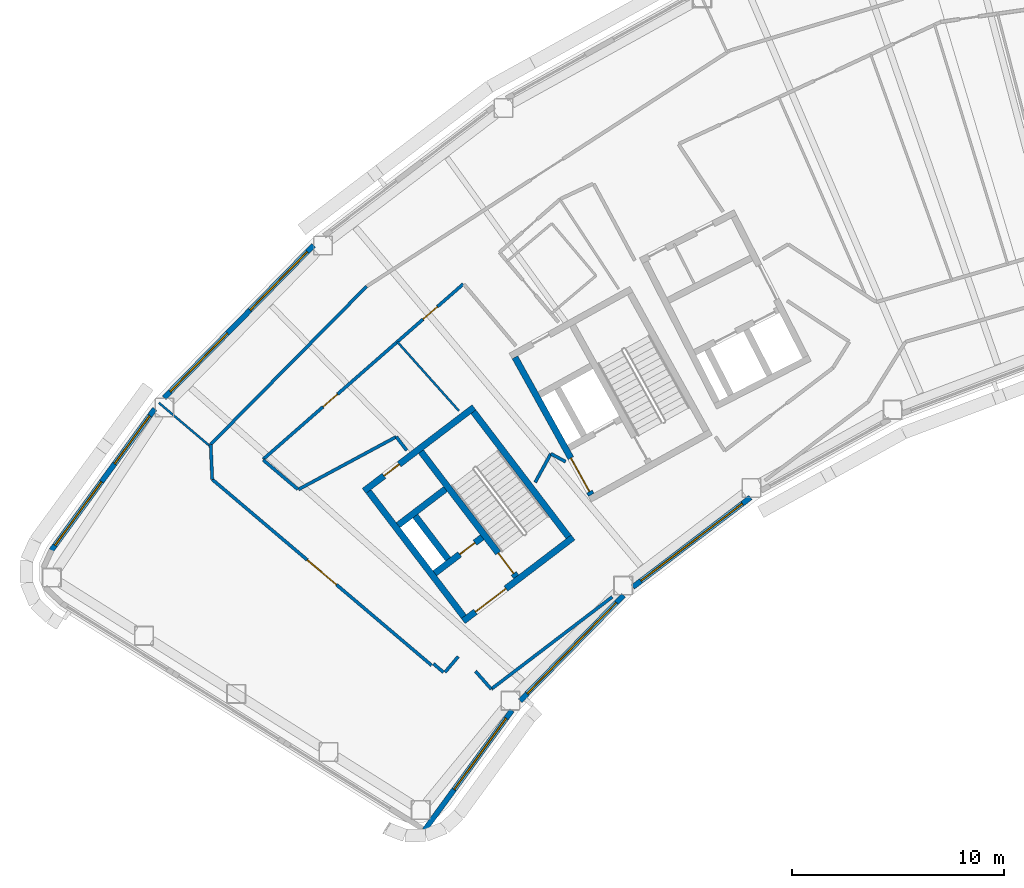
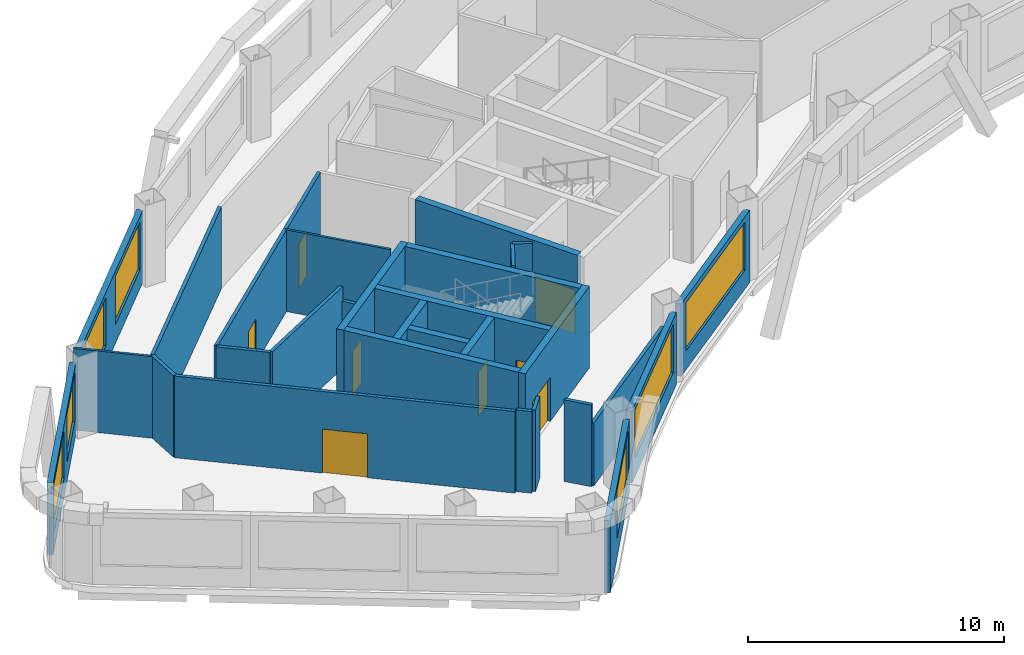
# One storey, part 5 of 17: 29 walls, 8 doors, 7 windows, 15 openings.
"""IFC4 building model written with IfcOpenShell, lengths in metres."""

from ifc_helpers import new_model, si_unit, direction, frame, frame_2d, origin, place, context, subcontext, project, spatial, rectangle, extrude, material, layer, layer_set, type_object, element, fill, save


model = new_model("IFC4")

# Units and contexts
model_context = context("Model", 3, precision=1e-05, world=origin(), true_north=direction((0.0, 1.0)))
body_context = subcontext(model_context, "Body", "Model", "MODEL_VIEW")
ifc_project = project(units=[si_unit("LENGTHUNIT", "METRE"), si_unit("AREAUNIT", "SQUARE_METRE"), si_unit("VOLUMEUNIT", "CUBIC_METRE"), si_unit("PLANEANGLEUNIT", "RADIAN"), si_unit("MASSUNIT", "GRAM", prefix="KILO")], contexts=[model_context])

# Site, building, storey
site_placement = place(None, origin())
site = spatial("IfcSite", under=ifc_project, at=site_placement, CompositionType="ELEMENT")
building_placement = place(site_placement, origin())
building = spatial("IfcBuilding", under=site, at=building_placement, Name="Tuul Gate Civic Tower", CompositionType="ELEMENT")
storey_placement = place(building_placement, frame((0.0, 0.0, 222.10009765625)))
storey = spatial("IfcBuildingStorey", under=building, at=storey_placement, Name="Level 50", CompositionType="ELEMENT", Elevation=222.10009765625)

# Wall, opening, door
ifc_material_1 = material(Name="Concrete C50/60", Category="concrete")
ifc_layer_1 = layer(ifc_material_1, 0.300048828125)
ifc_layer_set_1 = layer_set([ifc_layer_1], Name="Concrete C50/60")
wall_type_1 = type_object("IfcWallType", Name="Core wall C50/60", PredefinedType="SHEAR", material=ifc_layer_set_1)
wall_1_placement = place(storey_placement, frame((-31.19091796875, -13.669677734375, 0.0), z_axis=(0.0, 0.0, 1.0), x_axis=(-0.795606717756, -0.605813461934, 0.0)))
wall_1 = element("IfcWall", 1, at=wall_1_placement, inside=storey, type_object=wall_type_1, Name="Core wall", PredefinedType="SHEAR", context=body_context, shape_type="SweptSolid", body=[
    extrude(rectangle(XDim=6.5, YDim=0.300048828125, at=frame_2d((3.25, 0.0))), origin(), (0.0, 0.0, 1.0), 3.89990234375),
])
opening_1_placement = place(wall_1_placement, frame((3.97509765625, 0.0, 0.0)))
opening_1 = element("IfcOpeningElement", 2, at=opening_1_placement, cuts=wall_1, Name="Opening LB-W1-LOBBY-1", PredefinedType="OPENING", context=body_context, shape_type="SweptSolid", body=[
    extrude(rectangle(XDim=1.800048828125, YDim=2.10009765625, at=frame_2d((0.89990234375, 1.050048828125))), frame((0.0, 0.16015625, 0.0), z_axis=(0.0, -1.0, 0.0), x_axis=(1.0, 0.0, 0.0)), (0.0, 0.0, 1.0), 0.320068359375),
])
ifc_material_2 = material(Name="Steel", Category="steel")
door_type_1 = type_object("IfcDoorType", Name="Lobby door", OperationType="DOUBLE_DOOR_SINGLE_SWING", PredefinedType="DOOR", material=ifc_material_2)
door_1_placement = place(opening_1_placement, origin())
door_1 = element("IfcDoor", 3, at=door_1_placement, inside=storey, type_object=door_type_1, Name="Lobby door W1-LOBBY", OperationType="DOUBLE_DOOR_SINGLE_SWING", OverallHeight=2.10009765625, OverallWidth=1.800048828125, PredefinedType="DOOR", context=body_context, shape_type="SweptSolid", body=[
    extrude(rectangle(XDim=1.800048828125, YDim=2.10009765625, at=frame_2d((0.89990234375, 1.050048828125))), frame((0.0, 0.02490234375, 0.0), z_axis=(0.0, -1.0, 0.0), x_axis=(1.0, 0.0, 0.0)), (0.0, 0.0, 1.0), 0.050048828125),
])
fill(opening_1, door_1)

wall_2_placement = place(storey_placement, frame((-35.470947265625, -13.66064453125, 0.0), z_axis=(0.0, 0.0, 1.0), x_axis=(-0.795615822227, -0.605801504968, 0.0)))
wall_2 = element("IfcWall", 4, at=wall_2_placement, inside=storey, type_object=wall_type_1, Name="Core wall", PredefinedType="SHEAR", context=body_context, shape_type="SweptSolid", body=[
    extrude(rectangle(XDim=2.800048828125, YDim=0.300048828125, at=frame_2d((1.39990234375, 0.0))), origin(), (0.0, 0.0, 1.0), 3.89990234375),
])
opening_2_placement = place(wall_2_placement, frame((0.425048828125, 0.0, 0.0)))
opening_2 = element("IfcOpeningElement", 5, at=opening_2_placement, cuts=wall_2, Name="Opening FB-W1A1", PredefinedType="OPENING", context=body_context, shape_type="SweptSolid", body=[
    extrude(rectangle(XDim=0.89990234375, YDim=2.10009765625, at=frame_2d((0.449951171875, 1.050048828125))), frame((0.0, 0.16015625, 0.0), z_axis=(0.0, -1.0, 0.0), x_axis=(1.0, 0.0, 0.0)), (0.0, 0.0, 1.0), 0.320068359375),
])
ifc_material_3 = material(Name="Steel", Category="steel")
door_type_2 = type_object("IfcDoorType", Name="Store door", OperationType="NOTDEFINED", PredefinedType="DOOR", material=ifc_material_3)
door_2_placement = place(opening_2_placement, frame((0.89990234375, 0.0, 0.0), z_axis=(0.0, 0.0, 1.0), x_axis=(-1.0, 0.0, 0.0)))
door_2 = element("IfcDoor", 6, at=door_2_placement, inside=storey, type_object=door_type_2, Name="Store door W1A1", OperationType="SINGLE_SWING_RIGHT", OverallHeight=2.10009765625, OverallWidth=0.89990234375, PredefinedType="DOOR", context=body_context, shape_type="SweptSolid", body=[
    extrude(rectangle(XDim=0.89990234375, YDim=2.10009765625, at=frame_2d((0.449951171875, 1.050048828125))), frame((0.0, 0.02490234375, 0.0), z_axis=(0.0, -1.0, 0.0), x_axis=(1.0, 0.0, 0.0)), (0.0, 0.0, 1.0), 0.050048828125),
])
fill(opening_2, door_2)

# Wall
wall_3_placement = place(storey_placement, frame((-37.197509765625, -11.39306640625, 0.0), z_axis=(0.0, 0.0, 1.0), x_axis=(-0.795583820278, -0.605843531707, 0.0)))
element("IfcWall", 7, at=wall_3_placement, inside=storey, type_object=wall_type_1, Name="Core wall", PredefinedType="SHEAR", context=body_context, shape_type="SweptSolid", body=[
    extrude(rectangle(XDim=2.7998046875, YDim=0.300048828125, at=frame_2d((1.39990234375, 0.0))), origin(), (0.0, 0.0, 1.0), 3.89990234375),
])

# Wall, opening, door
wall_4_placement = place(storey_placement, frame((-35.855224609375, -7.543212890625, 0.0), z_axis=(0.0, 0.0, 1.0), x_axis=(-0.79563860527, -0.605771582202, 0.0)))
wall_4 = element("IfcWall", 8, at=wall_4_placement, inside=storey, type_object=wall_type_1, Name="Core wall", PredefinedType="SHEAR", context=body_context, shape_type="SweptSolid", body=[
    extrude(rectangle(XDim=6.5, YDim=0.300048828125, at=frame_2d((3.25, 0.0))), origin(), (0.0, 0.0, 1.0), 3.89990234375),
])
opening_3_placement = place(wall_4_placement, frame((4.425048828125, 0.0, 0.0)))
opening_3 = element("IfcOpeningElement", 9, at=opening_3_placement, cuts=wall_4, Name="Opening R-D43", PredefinedType="OPENING", context=body_context, shape_type="SweptSolid", body=[
    extrude(rectangle(XDim=0.89990234375, YDim=2.10009765625, at=frame_2d((0.449951171875, 1.050048828125))), frame((0.0, 0.16015625, 0.0), z_axis=(0.0, -1.0, 0.0), x_axis=(1.0, 0.0, 0.0)), (0.0, 0.0, 1.0), 0.320068359375),
])
ifc_material_4 = material(Name="Timber door leaf", Category="wood")
door_type_3 = type_object("IfcDoorType", Name="Door D09", OperationType="NOTDEFINED", PredefinedType="DOOR", material=ifc_material_4)
door_3_placement = place(opening_3_placement, origin())
door_3 = element("IfcDoor", 10, at=door_3_placement, inside=storey, type_object=door_type_3, Name="Door R-D43", OperationType="SINGLE_SWING_LEFT", OverallHeight=2.10009765625, OverallWidth=0.89990234375, PredefinedType="DOOR", context=body_context, shape_type="SweptSolid", body=[
    extrude(rectangle(XDim=0.89990234375, YDim=2.10009765625, at=frame_2d((0.449951171875, 1.050048828125))), frame((0.0, 0.02490234375, 0.0), z_axis=(0.0, -1.0, 0.0), x_axis=(1.0, 0.0, 0.0)), (0.0, 0.0, 1.0), 0.050048828125),
])
fill(opening_3, door_3)

# Wall
wall_5_placement = place(storey_placement, frame((-31.401123046875, -13.64111328125, 0.0), z_axis=(0.0, 0.0, 1.0), x_axis=(-0.605769822278, 0.795639945213, 0.0)))
element("IfcWall", 11, at=wall_5_placement, inside=storey, type_object=wall_type_1, Name="Core wall", PredefinedType="SHEAR", context=body_context, shape_type="SweptSolid", body=[
    extrude(rectangle(XDim=7.39990234375, YDim=0.300048828125, at=frame_2d((3.699951171875, 0.0))), origin(), (0.0, 0.0, 1.0), 3.89990234375),
])

# Wall, opening, door
wall_6_placement = place(storey_placement, frame((-33.867431640625, -15.51904296875, 0.0), z_axis=(0.0, 0.0, 1.0), x_axis=(-0.605769822278, 0.795639945213, 0.0)))
wall_6 = element("IfcWall", 12, at=wall_6_placement, inside=storey, type_object=wall_type_1, Name="Core wall", PredefinedType="SHEAR", context=body_context, shape_type="SweptSolid", body=[
    extrude(rectangle(XDim=7.39990234375, YDim=0.300048828125, at=frame_2d((3.699951171875, 0.0))), origin(), (0.0, 0.0, 1.0), 3.89990234375),
])
opening_4_placement = place(wall_6_placement, frame((0.199951171875, 0.0, 0.0)))
opening_4 = element("IfcOpeningElement", 13, at=opening_4_placement, cuts=wall_6, Name="Opening SD-ST-1", PredefinedType="OPENING", context=body_context, shape_type="SweptSolid", body=[
    extrude(rectangle(XDim=1.199951171875, YDim=2.10009765625, at=frame_2d((0.60009765625, 1.050048828125))), frame((0.0, 0.16015625, 0.0), z_axis=(0.0, -1.0, 0.0), x_axis=(1.0, 0.0, 0.0)), (0.0, 0.0, 1.0), 0.320068359375),
])
ifc_material_5 = material(Name="Steel", Category="steel")
door_type_4 = type_object("IfcDoorType", Name="Stair door", OperationType="NOTDEFINED", PredefinedType="DOOR", material=ifc_material_5)
door_4_placement = place(opening_4_placement, origin())
door_4 = element("IfcDoor", 14, at=door_4_placement, inside=storey, type_object=door_type_4, Name="Stair door ST-1", OperationType="SINGLE_SWING_LEFT", OverallHeight=2.10009765625, OverallWidth=1.199951171875, PredefinedType="DOOR", context=body_context, shape_type="SweptSolid", body=[
    extrude(rectangle(XDim=1.199951171875, YDim=2.10009765625, at=frame_2d((0.60009765625, 1.050048828125))), frame((0.0, 0.02490234375, 0.0), z_axis=(0.0, -1.0, 0.0), x_axis=(1.0, 0.0, 0.0)), (0.0, 0.0, 1.0), 0.050048828125),
])
fill(opening_4, door_4)

# Walls
wall_7_placement = place(storey_placement, frame((-37.073486328125, -14.6923828125, 0.0), z_axis=(0.0, 0.0, 1.0), x_axis=(-0.605728760074, 0.79567120673, 0.0)))
element("IfcWall", 15, at=wall_7_placement, inside=storey, type_object=wall_type_1, Name="Core wall", PredefinedType="SHEAR", context=body_context, shape_type="SweptSolid", body=[
    extrude(rectangle(XDim=2.550048828125, YDim=0.300048828125, at=frame_2d((1.27490234375, 0.0))), origin(), (0.0, 0.0, 1.0), 3.89990234375),
])
wall_8_placement = place(storey_placement, frame((-36.333984375, -17.397216796875, 0.0), z_axis=(0.0, 0.0, 1.0), x_axis=(-0.605753921168, 0.795652051458, 0.0)))
element("IfcWall", 16, at=wall_8_placement, inside=storey, type_object=wall_type_1, Name="Core wall", PredefinedType="SHEAR", context=body_context, shape_type="SweptSolid", body=[
    extrude(rectangle(XDim=7.400146484375, YDim=0.300048828125, at=frame_2d((3.7001953125, 0.0))), origin(), (0.0, 0.0, 1.0), 3.89990234375),
])

# Wall, opening, door
wall_9_placement = place(storey_placement, frame((-30.33837890625, -11.6630859375, 0.0), z_axis=(0.0, 0.0, 1.0), x_axis=(-0.484751894226, 0.874651702704, 0.0)))
wall_9 = element("IfcWall", 17, at=wall_9_placement, inside=storey, type_object=wall_type_1, Name="Core wall", PredefinedType="SHEAR", context=body_context, shape_type="SweptSolid", body=[
    extrude(rectangle(XDim=7.39990234375, YDim=0.300048828125, at=frame_2d((3.699951171875, 0.0))), origin(), (0.0, 0.0, 1.0), 3.89990234375),
])
opening_5_placement = place(wall_9_placement, frame((0.175048828125, 0.0, 0.0)))
opening_5 = element("IfcOpeningElement", 18, at=opening_5_placement, cuts=wall_9, Name="Opening LB-W2-FLOBBY-1", PredefinedType="OPENING", context=body_context, shape_type="SweptSolid", body=[
    extrude(rectangle(XDim=1.800048828125, YDim=2.10009765625, at=frame_2d((0.89990234375, 1.050048828125))), frame((0.0, 0.16015625, 0.0), z_axis=(0.0, -1.0, 0.0), x_axis=(1.0, 0.0, 0.0)), (0.0, 0.0, 1.0), 0.320068359375),
])
door_5_placement = place(opening_5_placement, frame((1.800048828125, 0.0, 0.0), z_axis=(0.0, 0.0, 1.0), x_axis=(-1.0, 0.0, 0.0)))
door_5 = element("IfcDoor", 19, at=door_5_placement, inside=storey, type_object=door_type_1, Name="Lobby door W2-FLOBBY", OperationType="DOUBLE_DOOR_SINGLE_SWING", OverallHeight=2.10009765625, OverallWidth=1.800048828125, PredefinedType="DOOR", context=body_context, shape_type="SweptSolid", body=[
    extrude(rectangle(XDim=1.800048828125, YDim=2.10009765625, at=frame_2d((0.900146484375, 1.050048828125))), frame((0.0, 0.02490234375, 0.0), z_axis=(0.0, -1.0, 0.0), x_axis=(1.0, 0.0, 0.0)), (0.0, 0.0, 1.0), 0.050048828125),
])
fill(opening_5, door_5)

# Walls
ifc_material_6 = material(Name="Gypsum board partition")
ifc_layer_2 = layer(ifc_material_6, 0.14990234375)
ifc_layer_set_2 = layer_set([ifc_layer_2], Name="Gypsum board partition")
wall_type_2 = type_object("IfcWallType", Name="Corridor wall P150", PredefinedType="PARTITIONING", material=ifc_layer_set_2)
wall_10_placement = place(storey_placement, frame((-48.25, -9.288330078125, 0.0), z_axis=(0.0, 0.0, 1.0), x_axis=(0.044380927641, -0.999014681204, 0.0)))
element("IfcWall", 20, at=wall_10_placement, inside=storey, type_object=wall_type_2, Name="p016", PredefinedType="PARTITIONING", context=body_context, shape_type="SweptSolid", body=[
    extrude(rectangle(XDim=1.650390625, YDim=0.14990234375, at=frame_2d((0.8251953125, 0.0))), origin(), (0.0, 0.0, 1.0), 3.89990234375),
])
wall_11_placement = place(storey_placement, frame((-48.25, -9.288330078125, 0.0), z_axis=(0.0, 0.0, 1.0), x_axis=(0.702545510934, 0.711638816442, 0.0)))
element("IfcWall", 21, at=wall_11_placement, inside=storey, type_object=wall_type_2, Name="p017", PredefinedType="PARTITIONING", context=body_context, shape_type="SweptSolid", body=[
    extrude(rectangle(XDim=10.444091796875, YDim=0.14990234375, at=frame_2d((5.22216796875, 0.0))), origin(), (0.0, 0.0, 1.0), 3.89990234375),
])

# Wall, opening, door
wall_12_placement = place(storey_placement, frame((-48.1767578125, -10.93701171875, 0.0), z_axis=(0.0, 0.0, 1.0), x_axis=(0.762830456402, -0.646598557673, 0.0)))
wall_12 = element("IfcWall", 22, at=wall_12_placement, inside=storey, type_object=wall_type_2, Name="p018", PredefinedType="PARTITIONING", context=body_context, shape_type="SweptSolid", body=[
    extrude(rectangle(XDim=13.535400390625, YDim=0.14990234375, at=frame_2d((6.767578125, 0.0))), origin(), (0.0, 0.0, 1.0), 3.89990234375),
])
opening_6_placement = place(wall_12_placement, frame((5.86767578125, 0.0, 0.0)))
opening_6 = element("IfcOpeningElement", 23, at=opening_6_placement, cuts=wall_12, Name="Opening R-D06", PredefinedType="OPENING", context=body_context, shape_type="SweptSolid", body=[
    extrude(rectangle(XDim=1.800048828125, YDim=2.10009765625, at=frame_2d((0.89990234375, 1.050048828125))), frame((0.0, 0.0849609375, 0.0), z_axis=(0.0, -1.0, 0.0), x_axis=(1.0, 0.0, 0.0)), (0.0, 0.0, 1.0), 0.169921875),
])
ifc_material_7 = material(Name="Timber door leaf, double", Category="wood")
door_type_5 = type_object("IfcDoorType", Name="Door D18", OperationType="DOUBLE_DOOR_SINGLE_SWING", PredefinedType="DOOR", material=ifc_material_7)
door_6_placement = place(opening_6_placement, frame((1.800048828125, 0.0, 0.0), z_axis=(0.0, 0.0, 1.0), x_axis=(-1.0, 0.0, 0.0)))
door_6 = element("IfcDoor", 24, at=door_6_placement, inside=storey, type_object=door_type_5, Name="Door R-D06", OperationType="DOUBLE_DOOR_SINGLE_SWING", OverallHeight=2.10009765625, OverallWidth=1.800048828125, PredefinedType="DOOR", context=body_context, shape_type="SweptSolid", body=[
    extrude(rectangle(XDim=1.800048828125, YDim=2.10009765625, at=frame_2d((0.900146484375, 1.050048828125))), frame((0.0, 0.02490234375, 0.0), z_axis=(0.0, -1.0, 0.0), x_axis=(1.0, 0.0, 0.0)), (0.0, 0.0, 1.0), 0.050048828125),
])
fill(opening_6, door_6)

# Walls
wall_13_placement = place(storey_placement, frame((-37.766845703125, -19.61376953125, 0.0), z_axis=(0.0, 0.0, 1.0), x_axis=(0.763430719957, -0.645889724199, 0.0)))
element("IfcWall", 25, at=wall_13_placement, inside=storey, type_object=wall_type_2, Name="p019", PredefinedType="PARTITIONING", context=body_context, shape_type="SweptSolid", body=[
    extrude(rectangle(XDim=0.625244140625, YDim=0.14990234375, at=frame_2d((0.3125, 0.0))), origin(), (0.0, 0.0, 1.0), 3.89990234375),
])
wall_14_placement = place(storey_placement, frame((-37.218994140625, -20.011962890625, 0.0), z_axis=(0.0, 0.0, 1.0), x_axis=(0.646624288819, 0.762808645146, 0.0)))
element("IfcWall", 26, at=wall_14_placement, inside=storey, type_object=wall_type_2, Name="p020", PredefinedType="PARTITIONING", context=body_context, shape_type="SweptSolid", body=[
    extrude(rectangle(XDim=0.96240234375, YDim=0.14990234375, at=frame_2d((0.481201171875, 0.0))), origin(), (0.0, 0.0, 1.0), 3.89990234375),
])
wall_15_placement = place(storey_placement, frame((-35.78564453125, -19.965087890625, 0.0), z_axis=(0.0, 0.0, 1.0), x_axis=(0.661219615112, -0.750192389052, 0.0)))
element("IfcWall", 27, at=wall_15_placement, inside=storey, type_object=wall_type_2, Name="p021", PredefinedType="PARTITIONING", context=body_context, shape_type="SweptSolid", body=[
    extrude(rectangle(XDim=1.125, YDim=0.14990234375, at=frame_2d((0.5625, 0.0))), origin(), (0.0, 0.0, 1.0), 3.89990234375),
])

# Wall, openings, doors
wall_16_placement = place(storey_placement, frame((-45.7783203125, -9.98974609375, 0.0), z_axis=(0.0, 0.0, 1.0), x_axis=(0.752261162007, 0.65886504243, 0.0)))
wall_16 = element("IfcWall", 28, at=wall_16_placement, inside=storey, type_object=wall_type_2, Name="p090", PredefinedType="PARTITIONING", context=body_context, shape_type="SweptSolid", body=[
    extrude(rectangle(XDim=12.513427734375, YDim=0.14990234375, at=frame_2d((6.2568359375, 0.0))), origin(), (0.0, 0.0, 1.0), 3.89990234375),
])
opening_7_placement = place(wall_16_placement, frame((10.002685546875, 0.0, 0.0)))
opening_7 = element("IfcOpeningElement", 29, at=opening_7_placement, cuts=wall_16, Name="Opening R-D36", PredefinedType="OPENING", context=body_context, shape_type="SweptSolid", body=[
    extrude(rectangle(XDim=0.89990234375, YDim=2.10009765625, at=frame_2d((0.449951171875, 1.050048828125))), frame((0.0, 0.0849609375, 0.0), z_axis=(0.0, -1.0, 0.0), x_axis=(1.0, 0.0, 0.0)), (0.0, 0.0, 1.0), 0.169921875),
])
opening_8_placement = place(wall_16_placement, frame((3.745849609375, 0.0, 0.0)))
opening_8 = element("IfcOpeningElement", 30, at=opening_8_placement, cuts=wall_16, Name="Opening R-D37", PredefinedType="OPENING", context=body_context, shape_type="SweptSolid", body=[
    extrude(rectangle(XDim=0.89990234375, YDim=2.10009765625, at=frame_2d((0.449951171875, 1.050048828125))), frame((0.0, 0.0849609375, 0.0), z_axis=(0.0, -1.0, 0.0), x_axis=(1.0, 0.0, 0.0)), (0.0, 0.0, 1.0), 0.169921875),
])
door_7_placement = place(opening_7_placement, frame((0.89990234375, 0.0, 0.0), z_axis=(0.0, 0.0, 1.0), x_axis=(-1.0, 0.0, 0.0)))
door_7 = element("IfcDoor", 31, at=door_7_placement, inside=storey, type_object=door_type_3, Name="Door R-D36", OperationType="SINGLE_SWING_LEFT", OverallHeight=2.10009765625, OverallWidth=0.89990234375, PredefinedType="DOOR", context=body_context, shape_type="SweptSolid", body=[
    extrude(rectangle(XDim=0.89990234375, YDim=2.10009765625, at=frame_2d((0.449951171875, 1.050048828125))), frame((0.0, 0.02490234375, 0.0), z_axis=(0.0, -1.0, 0.0), x_axis=(1.0, 0.0, 0.0)), (0.0, 0.0, 1.0), 0.050048828125),
])
fill(opening_7, door_7)
door_8_placement = place(opening_8_placement, frame((0.89990234375, 0.0, 0.0), z_axis=(0.0, 0.0, 1.0), x_axis=(-1.0, 0.0, 0.0)))
door_8 = element("IfcDoor", 32, at=door_8_placement, inside=storey, type_object=door_type_3, Name="Door R-D37", OperationType="SINGLE_SWING_LEFT", OverallHeight=2.10009765625, OverallWidth=0.89990234375, PredefinedType="DOOR", context=body_context, shape_type="SweptSolid", body=[
    extrude(rectangle(XDim=0.89990234375, YDim=2.10009765625, at=frame_2d((0.449951171875, 1.050048828125))), frame((0.0, 0.02490234375, 0.0), z_axis=(0.0, -1.0, 0.0), x_axis=(1.0, 0.0, 0.0)), (0.0, 0.0, 1.0), 0.050048828125),
])
fill(opening_8, door_8)

# Walls
wall_17_placement = place(storey_placement, frame((-32.236083984375, -9.727294921875, 0.0), z_axis=(0.0, 0.0, 1.0), x_axis=(0.877208093976, -0.480110362169, 0.0)))
element("IfcWall", 33, at=wall_17_placement, inside=storey, type_object=wall_type_2, Name="p103", PredefinedType="PARTITIONING", context=body_context, shape_type="SweptSolid", body=[
    extrude(rectangle(XDim=0.7880859375, YDim=0.14990234375, at=frame_2d((0.39404296875, 0.0))), origin(), (0.0, 0.0, 1.0), 3.89990234375),
])
wall_18_placement = place(storey_placement, frame((-32.9755859375, -11.076904296875, 0.0), z_axis=(0.0, 0.0, 1.0), x_axis=(0.479986062587, 0.87727611373, 0.0)))
element("IfcWall", 34, at=wall_18_placement, inside=storey, type_object=wall_type_2, Name="p104", PredefinedType="PARTITIONING", context=body_context, shape_type="SweptSolid", body=[
    extrude(rectangle(XDim=1.5380859375, YDim=0.14990234375, at=frame_2d((0.76904296875, 0.0))), origin(), (0.0, 0.0, 1.0), 3.89990234375),
])
wall_19_placement = place(storey_placement, frame((-44.117919921875, -11.41064453125, 0.0), z_axis=(0.0, 0.0, 1.0), x_axis=(0.88051006767, 0.474027447235, 0.0)))
element("IfcWall", 35, at=wall_19_placement, inside=storey, type_object=wall_type_2, Name="p106", PredefinedType="PARTITIONING", context=body_context, shape_type="SweptSolid", body=[
    extrude(rectangle(XDim=5.230224609375, YDim=0.14990234375, at=frame_2d((2.615234375, 0.0))), origin(), (0.0, 0.0, 1.0), 3.89990234375),
])
wall_20_placement = place(storey_placement, frame((-45.778076171875, -10.020751953125, 0.0), z_axis=(0.0, 0.0, 1.0), x_axis=(0.762850895928, -0.646574443186, 0.0)))
element("IfcWall", 36, at=wall_20_placement, inside=storey, type_object=wall_type_2, Name="p107", PredefinedType="PARTITIONING", context=body_context, shape_type="SweptSolid", body=[
    extrude(rectangle(XDim=2.145751953125, YDim=0.14990234375, at=frame_2d((1.07275390625, 0.0))), origin(), (0.0, 0.0, 1.0), 3.89990234375),
])
ifc_material_8 = material(Name="Gypsum board partition")
ifc_layer_3 = layer(ifc_material_8, 0.14990234375)
ifc_layer_set_3 = layer_set([ifc_layer_3], Name="Gypsum board partition")
wall_type_3 = type_object("IfcWallType", Name="Corridor wall P150 3000 HIGH", PredefinedType="PARTITIONING", material=ifc_layer_set_3)
wall_21_placement = place(storey_placement, frame((-35.041748046875, -20.80908203125, 0.0), z_axis=(0.0, 0.0, 1.0), x_axis=(0.795339331527, 0.606164456008, 0.0)))
element("IfcWall", 37, at=wall_21_placement, inside=storey, type_object=wall_type_3, Name="p022", PredefinedType="PARTITIONING", context=body_context, shape_type="SweptSolid", body=[
    extrude(rectangle(XDim=7.15869140625, YDim=0.14990234375, at=frame_2d((3.579345703125, 0.0))), origin(), (0.0, 0.0, 1.0), 3.0),
])
ifc_material_9 = material(Name="Gypsum board partition")
ifc_layer_4 = layer(ifc_material_9, 0.14990234375)
ifc_layer_set_4 = layer_set([ifc_layer_4], Name="Gypsum board partition")
wall_type_4 = type_object("IfcWallType", Name="Corridor wall P150 3250 HIGH", PredefinedType="PARTITIONING", material=ifc_layer_set_4)
wall_22_placement = place(storey_placement, frame((-39.51171875, -8.931640625, 0.0), z_axis=(0.0, 0.0, 1.0), x_axis=(0.606061384358, -0.795417876585, 0.0)))
element("IfcWall", 38, at=wall_22_placement, inside=storey, type_object=wall_type_4, Name="p105", PredefinedType="PARTITIONING", context=body_context, shape_type="SweptSolid", body=[
    extrude(rectangle(XDim=0.8095703125, YDim=0.14990234375, at=frame_2d((0.40478515625, 0.0))), origin(), (0.0, 0.0, 1.0), 3.25),
])

# Wall, openings, windows
ifc_material_10 = material(Name="Precast concrete C40/50", Category="concrete")
ifc_layer_5 = layer(ifc_material_10, 0.25)
ifc_layer_set_5 = layer_set([ifc_layer_5], Name="Precast concrete C40/50")
wall_type_5 = type_object("IfcWallType", Name="External wall", PredefinedType="STANDARD", material=ifc_layer_set_5)
wall_23_placement = place(storey_placement, frame((-43.407958984375, 0.079345703125, 0.0), z_axis=(0.0, 0.0, 1.0), x_axis=(-0.699992252886, -0.714150436463, 0.0)))
wall_23 = element("IfcWall", 39, at=wall_23_placement, inside=storey, type_object=wall_type_5, Name="External wall", PredefinedType="STANDARD", context=body_context, shape_type="SweptSolid", body=[
    extrude(rectangle(XDim=10.05322265625, YDim=0.25, at=frame_2d((5.026611328125, 0.0))), origin(), (0.0, 0.0, 1.0), 3.449951171875),
])
opening_9_placement = place(wall_23_placement, frame((0.416015625, 0.0, 0.89990234375)))
opening_9 = element("IfcOpeningElement", 40, at=opening_9_placement, cuts=wall_23, Name="Opening W22", PredefinedType="OPENING", context=body_context, shape_type="SweptSolid", body=[
    extrude(rectangle(XDim=3.85009765625, YDim=2.300048828125, at=frame_2d((1.925048828125, 1.14990234375))), frame((0.0, 0.135009765625, 0.0), z_axis=(0.0, -1.0, 0.0), x_axis=(1.0, 0.0, 0.0)), (0.0, 0.0, 1.0), 0.27001953125),
])
opening_10_placement = place(wall_23_placement, frame((5.78759765625, 0.0, 0.89990234375)))
opening_10 = element("IfcOpeningElement", 41, at=opening_10_placement, cuts=wall_23, Name="Opening W22", PredefinedType="OPENING", context=body_context, shape_type="SweptSolid", body=[
    extrude(rectangle(XDim=3.85009765625, YDim=2.300048828125, at=frame_2d((1.925048828125, 1.14990234375))), frame((0.0, 0.135009765625, 0.0), z_axis=(0.0, -1.0, 0.0), x_axis=(1.0, 0.0, 0.0)), (0.0, 0.0, 1.0), 0.27001953125),
])
ifc_material_11 = material(Name="Glass", Category="glass")
window_type_1 = type_object("IfcWindowType", Name="Window W22 3850 x 2300", PartitioningType="SINGLE_PANEL", PredefinedType="WINDOW", material=ifc_material_11)
window_1_placement = place(opening_9_placement, origin())
window_1 = element("IfcWindow", 42, at=window_1_placement, inside=storey, type_object=window_type_1, Name="Window", OverallHeight=2.300048828125, OverallWidth=3.85009765625, PartitioningType="SINGLE_PANEL", PredefinedType="WINDOW", context=body_context, shape_type="SweptSolid", body=[
    extrude(rectangle(XDim=3.85009765625, YDim=2.300048828125, at=frame_2d((1.925048828125, 1.14990234375))), frame((0.0, 0.030029296875, 0.0), z_axis=(0.0, -1.0, 0.0), x_axis=(1.0, 0.0, 0.0)), (0.0, 0.0, 1.0), 0.06005859375),
])
fill(opening_9, window_1)
window_2_placement = place(opening_10_placement, origin())
window_2 = element("IfcWindow", 43, at=window_2_placement, inside=storey, type_object=window_type_1, Name="Window", OverallHeight=2.300048828125, OverallWidth=3.85009765625, PartitioningType="SINGLE_PANEL", PredefinedType="WINDOW", context=body_context, shape_type="SweptSolid", body=[
    extrude(rectangle(XDim=3.85009765625, YDim=2.300048828125, at=frame_2d((1.925048828125, 1.14990234375))), frame((0.0, 0.030029296875, 0.0), z_axis=(0.0, -1.0, 0.0), x_axis=(1.0, 0.0, 0.0)), (0.0, 0.0, 1.0), 0.06005859375),
])
fill(opening_10, window_2)

wall_24_placement = place(storey_placement, frame((-50.882080078125, -7.615966796875, 0.0), z_axis=(0.0, 0.0, 1.0), x_axis=(-0.589874908102, -0.807494639482, 0.0)))
wall_24 = element("IfcWall", 44, at=wall_24_placement, inside=storey, type_object=wall_type_5, Name="External wall", PredefinedType="STANDARD", context=body_context, shape_type="SweptSolid", body=[
    extrude(rectangle(XDim=8.25244140625, YDim=0.25, at=frame_2d((4.126220703125, 0.0))), origin(), (0.0, 0.0, 1.0), 3.449951171875),
])
opening_11_placement = place(wall_24_placement, frame((0.39990234375, 0.0, 0.89990234375)))
opening_11 = element("IfcOpeningElement", 45, at=opening_11_placement, cuts=wall_24, Name="Opening W23", PredefinedType="OPENING", context=body_context, shape_type="SweptSolid", body=[
    extrude(rectangle(XDim=2.800048828125, YDim=2.300048828125, at=frame_2d((1.39990234375, 1.14990234375))), frame((0.0, 0.135009765625, 0.0), z_axis=(0.0, -1.0, 0.0), x_axis=(1.0, 0.0, 0.0)), (0.0, 0.0, 1.0), 0.27001953125),
])
opening_12_placement = place(wall_24_placement, frame((4.251708984375, 0.0, 0.89990234375)))
opening_12 = element("IfcOpeningElement", 46, at=opening_12_placement, cuts=wall_24, Name="Opening W21", PredefinedType="OPENING", context=body_context, shape_type="SweptSolid", body=[
    extrude(rectangle(XDim=3.699951171875, YDim=2.300048828125, at=frame_2d((1.85009765625, 1.14990234375))), frame((0.0, 0.135009765625, 0.0), z_axis=(0.0, -1.0, 0.0), x_axis=(1.0, 0.0, 0.0)), (0.0, 0.0, 1.0), 0.27001953125),
])
ifc_material_12 = material(Name="Glass", Category="glass")
window_type_2 = type_object("IfcWindowType", Name="Window W21 3700 x 2300", PartitioningType="SINGLE_PANEL", PredefinedType="WINDOW", material=ifc_material_12)
window_3_placement = place(opening_12_placement, origin())
window_3 = element("IfcWindow", 47, at=window_3_placement, inside=storey, type_object=window_type_2, Name="Window", OverallHeight=2.300048828125, OverallWidth=3.699951171875, PartitioningType="SINGLE_PANEL", PredefinedType="WINDOW", context=body_context, shape_type="SweptSolid", body=[
    extrude(rectangle(XDim=3.699951171875, YDim=2.300048828125, at=frame_2d((1.85009765625, 1.14990234375))), frame((0.0, 0.030029296875, 0.0), z_axis=(0.0, -1.0, 0.0), x_axis=(1.0, 0.0, 0.0)), (0.0, 0.0, 1.0), 0.06005859375),
])
fill(opening_12, window_3)
ifc_material_13 = material(Name="Glass", Category="glass")
window_type_3 = type_object("IfcWindowType", Name="Window W23 2800 x 2300", PartitioningType="SINGLE_PANEL", PredefinedType="WINDOW", material=ifc_material_13)
window_4_placement = place(opening_11_placement, origin())
window_4 = element("IfcWindow", 48, at=window_4_placement, inside=storey, type_object=window_type_3, Name="Window", OverallHeight=2.300048828125, OverallWidth=2.800048828125, PartitioningType="SINGLE_PANEL", PredefinedType="WINDOW", context=body_context, shape_type="SweptSolid", body=[
    extrude(rectangle(XDim=2.800048828125, YDim=2.300048828125, at=frame_2d((1.39990234375, 1.14990234375))), frame((0.0, 0.030029296875, 0.0), z_axis=(0.0, -1.0, 0.0), x_axis=(1.0, 0.0, 0.0)), (0.0, 0.0, 1.0), 0.06005859375),
])
fill(opening_11, window_4)

# Wall, opening, window
wall_25_placement = place(storey_placement, frame((-38.179931640625, -27.439208984375, 0.0), z_axis=(0.0, 0.0, 1.0), x_axis=(0.589873478547, 0.80749568377, 0.0)))
wall_25 = element("IfcWall", 49, at=wall_25_placement, inside=storey, type_object=wall_type_5, Name="External wall", PredefinedType="STANDARD", context=body_context, shape_type="SweptSolid", body=[
    extrude(rectangle(XDim=6.972412109375, YDim=0.25, at=frame_2d((3.486328125, 0.0))), origin(), (0.0, 0.0, 1.0), 3.449951171875),
])
opening_13_placement = place(wall_25_placement, frame((2.356689453125, 0.0, 0.89990234375)))
opening_13 = element("IfcOpeningElement", 50, at=opening_13_placement, cuts=wall_25, Name="Opening W25", PredefinedType="OPENING", context=body_context, shape_type="SweptSolid", body=[
    extrude(rectangle(XDim=4.14990234375, YDim=2.300048828125, at=frame_2d((2.074951171875, 1.14990234375))), frame((0.0, 0.135009765625, 0.0), z_axis=(0.0, -1.0, 0.0), x_axis=(1.0, 0.0, 0.0)), (0.0, 0.0, 1.0), 0.27001953125),
])
ifc_material_14 = material(Name="Glass", Category="glass")
window_type_4 = type_object("IfcWindowType", Name="Window W25 4150 x 2300", PartitioningType="SINGLE_PANEL", PredefinedType="WINDOW", material=ifc_material_14)
window_5_placement = place(opening_13_placement, origin())
window_5 = element("IfcWindow", 51, at=window_5_placement, inside=storey, type_object=window_type_4, Name="Window", OverallHeight=2.300048828125, OverallWidth=4.14990234375, PartitioningType="SINGLE_PANEL", PredefinedType="WINDOW", context=body_context, shape_type="SweptSolid", body=[
    extrude(rectangle(XDim=4.14990234375, YDim=2.300048828125, at=frame_2d((2.074951171875, 1.14990234375))), frame((0.0, 0.030029296875, 0.0), z_axis=(0.0, -1.0, 0.0), x_axis=(1.0, 0.0, 0.0)), (0.0, 0.0, 1.0), 0.06005859375),
])
fill(opening_13, window_5)

wall_26_placement = place(storey_placement, frame((-33.69091796875, -21.3642578125, 0.0), z_axis=(0.0, 0.0, 1.0), x_axis=(0.700029726531, 0.714113703813, 0.0)))
wall_26 = element("IfcWall", 52, at=wall_26_placement, inside=storey, type_object=wall_type_5, Name="External wall", PredefinedType="STANDARD", context=body_context, shape_type="SweptSolid", body=[
    extrude(rectangle(XDim=6.968505859375, YDim=0.25, at=frame_2d((3.484375, 0.0))), origin(), (0.0, 0.0, 1.0), 3.449951171875),
])
opening_14_placement = place(wall_26_placement, frame((0.484375, 0.0, 0.89990234375)))
opening_14 = element("IfcOpeningElement", 53, at=opening_14_placement, cuts=wall_26, Name="Opening W26", PredefinedType="OPENING", context=body_context, shape_type="SweptSolid", body=[
    extrude(rectangle(XDim=6.0, YDim=2.300048828125, at=frame_2d((3.0, 1.14990234375))), frame((0.0, 0.135009765625, 0.0), z_axis=(0.0, -1.0, 0.0), x_axis=(1.0, 0.0, 0.0)), (0.0, 0.0, 1.0), 0.27001953125),
])
ifc_material_15 = material(Name="Glass", Category="glass")
window_type_5 = type_object("IfcWindowType", Name="Window W26 6000 x 2300", PartitioningType="SINGLE_PANEL", PredefinedType="WINDOW", material=ifc_material_15)
window_6_placement = place(opening_14_placement, origin())
window_6 = element("IfcWindow", 54, at=window_6_placement, inside=storey, type_object=window_type_5, Name="Window", OverallHeight=2.300048828125, OverallWidth=6.0, PartitioningType="SINGLE_PANEL", PredefinedType="WINDOW", context=body_context, shape_type="SweptSolid", body=[
    extrude(rectangle(XDim=6.0, YDim=2.300048828125, at=frame_2d((3.0, 1.14990234375))), frame((0.0, 0.030029296875, 0.0), z_axis=(0.0, -1.0, 0.0), x_axis=(1.0, 0.0, 0.0)), (0.0, 0.0, 1.0), 0.06005859375),
])
fill(opening_14, window_6)

wall_27_placement = place(storey_placement, frame((-28.376953125, -16.00390625, 0.0), z_axis=(0.0, 0.0, 1.0), x_axis=(0.79557348273, 0.605857106566, 0.0)))
wall_27 = element("IfcWall", 55, at=wall_27_placement, inside=storey, type_object=wall_type_5, Name="External wall", PredefinedType="STANDARD", context=body_context, shape_type="SweptSolid", body=[
    extrude(rectangle(XDim=6.956787109375, YDim=0.25, at=frame_2d((3.478515625, 0.0))), origin(), (0.0, 0.0, 1.0), 3.449951171875),
])
opening_15_placement = place(wall_27_placement, frame((0.478271484375, 0.0, 0.89990234375)))
opening_15 = element("IfcOpeningElement", 56, at=opening_15_placement, cuts=wall_27, Name="Opening W26", PredefinedType="OPENING", context=body_context, shape_type="SweptSolid", body=[
    extrude(rectangle(XDim=6.0, YDim=2.300048828125, at=frame_2d((3.0, 1.14990234375))), frame((0.0, 0.135009765625, 0.0), z_axis=(0.0, -1.0, 0.0), x_axis=(1.0, 0.0, 0.0)), (0.0, 0.0, 1.0), 0.27001953125),
])
window_7_placement = place(opening_15_placement, origin())
window_7 = element("IfcWindow", 57, at=window_7_placement, inside=storey, type_object=window_type_5, Name="Window", OverallHeight=2.300048828125, OverallWidth=6.0, PartitioningType="SINGLE_PANEL", PredefinedType="WINDOW", context=body_context, shape_type="SweptSolid", body=[
    extrude(rectangle(XDim=6.0, YDim=2.300048828125, at=frame_2d((3.0, 1.14990234375))), frame((0.0, 0.030029296875, 0.0), z_axis=(0.0, -1.0, 0.0), x_axis=(1.0, 0.0, 0.0)), (0.0, 0.0, 1.0), 0.06005859375),
])
fill(opening_15, window_7)

# Walls
ifc_material_16 = material(Name="Gypsum board partition")
ifc_layer_6 = layer(ifc_material_16, 0.10009765625)
ifc_layer_set_6 = layer_set([ifc_layer_6], Name="Gypsum board partition")
wall_type_6 = type_object("IfcWallType", Name="Partition P100", PredefinedType="PARTITIONING", material=ifc_layer_set_6)
wall_28_placement = place(storey_placement, frame((-50.68408203125, -7.3369140625, 0.0), z_axis=(0.0, 0.0, 1.0), x_axis=(0.762818363758, -0.646612823808, 0.0)))
element("IfcWall", 58, at=wall_28_placement, inside=storey, type_object=wall_type_6, Name="p015", PredefinedType="PARTITIONING", context=body_context, shape_type="SweptSolid", body=[
    extrude(rectangle(XDim=3.197509765625, YDim=0.10009765625, at=frame_2d((1.5986328125, 0.0))), origin(), (0.0, 0.0, 1.0), 3.89990234375),
])
wall_29_placement = place(storey_placement, frame((-39.465576171875, -4.460693359375, 0.0), z_axis=(0.0, 0.0, 1.0), x_axis=(0.665897620158, -0.746043135125, 0.0)))
element("IfcWall", 59, at=wall_29_placement, inside=storey, type_object=wall_type_6, Name="p101", PredefinedType="PARTITIONING", context=body_context, shape_type="SweptSolid", body=[
    extrude(rectangle(XDim=4.35302734375, YDim=0.10009765625, at=frame_2d((2.176513671875, 0.0))), origin(), (0.0, 0.0, 1.0), 3.89990234375),
])

save(model, "model.ifc")
